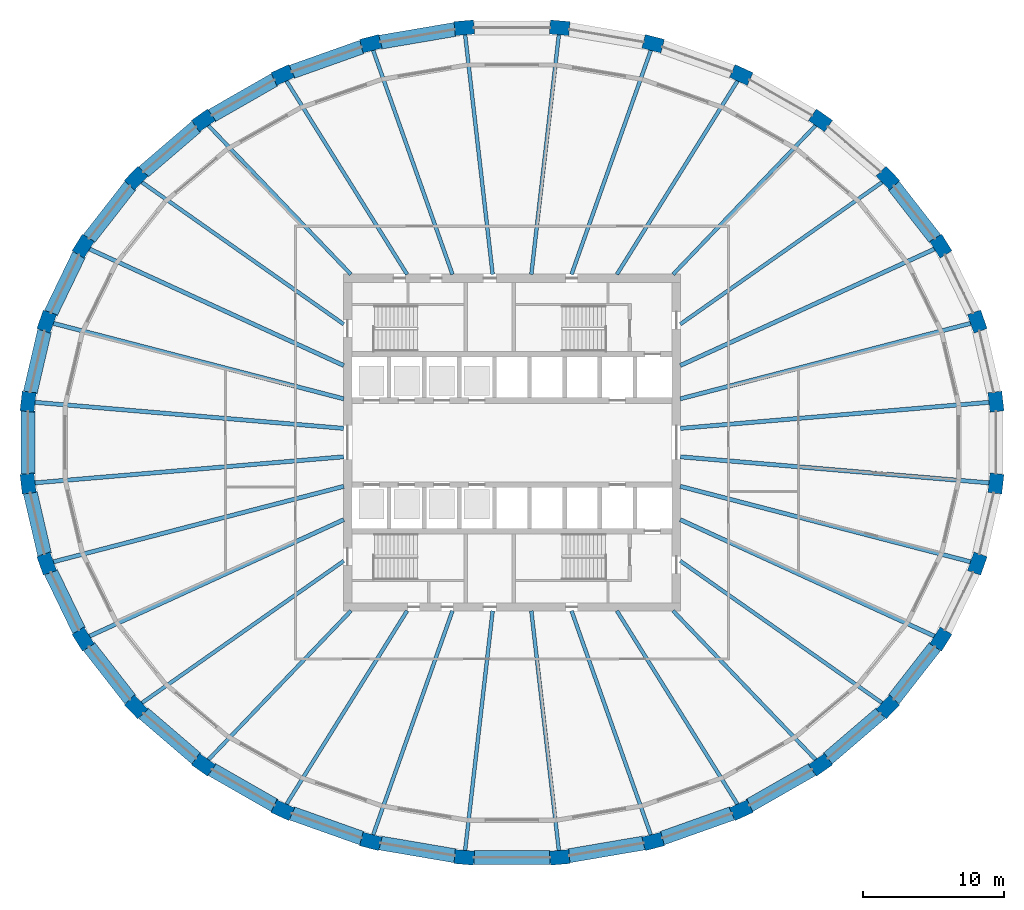
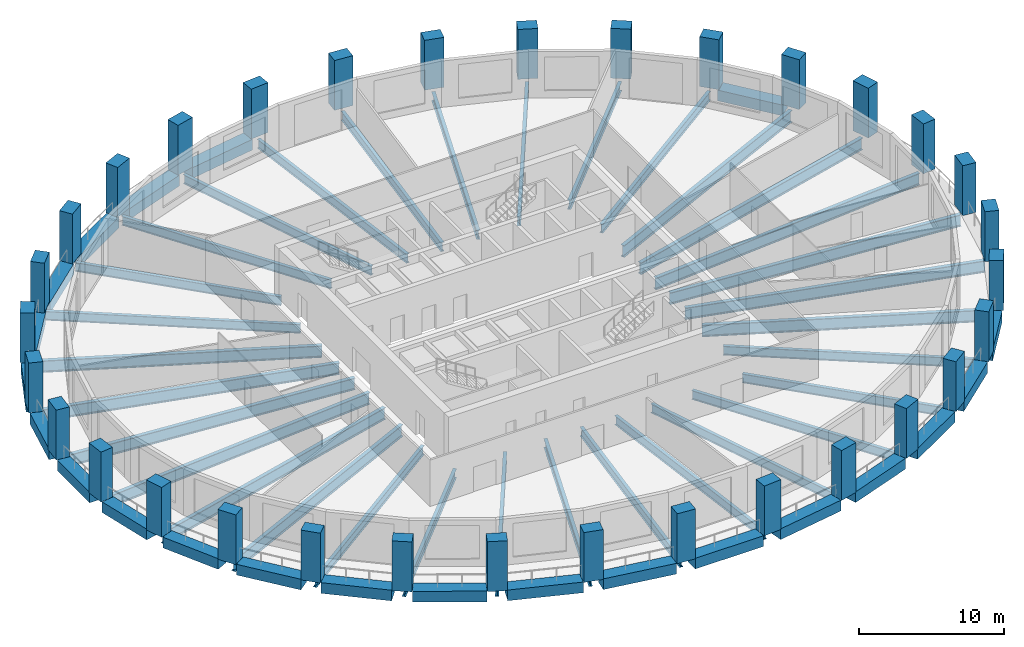
# One storey, part 1 of 10: 54 beams, 32 columns.
"""IFC4 building model written with IfcOpenShell, lengths in metres."""

from ifc_helpers import new_model, si_unit, direction, frame, origin, origin_2d, place, context, subcontext, project, spatial, rectangle, i_section, extrude, material, material_profile, profile_set, type_object, element, save


model = new_model("IFC4")

# Units and contexts
model_context = context("Model", 3, precision=1e-05, world=origin(), true_north=direction((0.0, 1.0)))
body_context = subcontext(model_context, "Body", "Model", "MODEL_VIEW")
ifc_project = project(units=[si_unit("LENGTHUNIT", "METRE"), si_unit("AREAUNIT", "SQUARE_METRE"), si_unit("VOLUMEUNIT", "CUBIC_METRE"), si_unit("PLANEANGLEUNIT", "RADIAN"), si_unit("MASSUNIT", "GRAM", prefix="KILO")], contexts=[model_context])

# Site, building, storey
site_placement = place(None, origin())
site = spatial("IfcSite", under=ifc_project, at=site_placement, CompositionType="ELEMENT")
building_placement = place(site_placement, origin())
building = spatial("IfcBuilding", under=site, at=building_placement, Name="Halqa Exchange Tower", CompositionType="ELEMENT")
storey_placement = place(building_placement, frame((0.0, 0.0, 129.699951171875)))
storey = spatial("IfcBuildingStorey", under=building, at=storey_placement, Name="L29", CompositionType="ELEMENT", Elevation=129.699951171875)

# Columns
ifc_material_1 = material(Name="Concrete C70/85", Category="concrete")
ifc_material_profile_1 = material_profile(ifc_material_1, rectangle(XDim=1.39990234375, YDim=1.0, at=origin_2d()), Name="1400 x 1000")
ifc_profile_set_1 = profile_set([ifc_material_profile_1], Name="Concrete C70/85")
column_type = type_object("IfcColumnType", Name="RC ring column 1400 x 1000 C70/85", PredefinedType="COLUMN", material=ifc_profile_set_1)
for number, where, z_axis, x_axis, name in (
    (1, (34.438720703125, 2.907470703125, 0.0), (0.0, 0.0, 1.0), (-0.114158655897, 0.993462531394, 0.0), "Ring column 1"),
    (2, (33.115234375, 8.6103515625, 0.0), (0.0, 0.0, 1.0), (-0.33363575088, 0.942702066262, 0.0), "Ring column 2"),
    (3, (30.51904296875, 13.982421875, 0.0), (0.0, 0.0, 1.0), (-0.529137534311, 0.848536074533, 0.0), "Ring column 3"),
    (4, (26.750244140625, 18.817138671875, 0.0), (0.0, 0.0, 1.0), (-0.691571048649, 0.722308441505, 0.0), "Ring column 4"),
    (5, (21.953369140625, 22.9287109375, 0.0), (0.0, 0.0, 1.0), (-0.817909792189, 0.575346479819, 0.0), "Ring column 5"),
    (6, (16.312744140625, 26.1591796875, 0.0), (0.0, 0.0, 1.0), (-0.909126368869, 0.416520402174, 0.0), "Ring column 6"),
    (7, (10.04541015625, 28.384521484375, 0.0), (0.0, 0.0, 1.0), (-0.967819503571, 0.251645402317, 0.0), "Ring column 7"),
    (8, (3.391845703125, 29.518798828125, 0.0), (0.0, 0.0, 1.0), (-0.996455372165, 0.084123072248, 0.0), "Ring column 8"),
    (9, (-3.391845703125, 29.518798828125, 0.0), (0.0, 0.0, 1.0), (-0.996455372165, -0.084123072248, 0.0), "Ring column 9"),
    (10, (-10.04541015625, 28.384521484375, 0.0), (0.0, 0.0, 1.0), (-0.967819503571, -0.251645402317, 0.0), "Ring column 10"),
    (11, (-16.312744140625, 26.1591796875, 0.0), (0.0, 0.0, 1.0), (-0.909126368869, -0.416520402174, 0.0), "Ring column 11"),
    (12, (-21.953369140625, 22.9287109375, 0.0), (0.0, 0.0, 1.0), (-0.817909792189, -0.575346479819, 0.0), "Ring column 12"),
    (13, (-26.750244140625, 18.817138671875, 0.0), (0.0, 0.0, 1.0), (-0.691571048649, -0.722308441505, 0.0), "Ring column 13"),
    (14, (-30.51904296875, 13.982421875, 0.0), (0.0, 0.0, 1.0), (-0.529137534311, -0.848536074533, 0.0), "Ring column 14"),
    (15, (-33.115234375, 8.6103515625, 0.0), (0.0, 0.0, 1.0), (-0.33363575088, -0.942702066262, 0.0), "Ring column 15"),
    (16, (-34.438720703125, 2.907470703125, 0.0), (0.0, 0.0, 1.0), (-0.114158655897, -0.993462531394, 0.0), "Ring column 16"),
    (17, (-34.438720703125, -2.907470703125, 0.0), (0.0, 0.0, 1.0), (0.114158655897, -0.993462531394, 0.0), "Ring column 17"),
    (18, (-33.115234375, -8.6103515625, 0.0), (0.0, 0.0, 1.0), (0.33363575088, -0.942702066262, 0.0), "Ring column 18"),
    (19, (-30.51904296875, -13.982421875, 0.0), (0.0, 0.0, 1.0), (0.529137534311, -0.848536074533, 0.0), "Ring column 19"),
    (20, (-26.750244140625, -18.817138671875, 0.0), (0.0, 0.0, 1.0), (0.691571048649, -0.722308441505, 0.0), "Ring column 20"),
    (21, (-21.953369140625, -22.9287109375, 0.0), (0.0, 0.0, 1.0), (0.817909792189, -0.575346479819, 0.0), "Ring column 21"),
    (22, (-16.312744140625, -26.1591796875, 0.0), (0.0, 0.0, 1.0), (0.909126368869, -0.416520402174, 0.0), "Ring column 22"),
    (23, (-10.04541015625, -28.384521484375, 0.0), (0.0, 0.0, 1.0), (0.967819503571, -0.251645402317, 0.0), "Ring column 23"),
    (24, (-3.391845703125, -29.518798828125, 0.0), (0.0, 0.0, 1.0), (0.996455372165, -0.084123072248, 0.0), "Ring column 24"),
    (25, (3.391845703125, -29.518798828125, 0.0), (0.0, 0.0, 1.0), (0.996455372165, 0.084123072248, 0.0), "Ring column 25"),
    (26, (10.04541015625, -28.384521484375, 0.0), (0.0, 0.0, 1.0), (0.967819503571, 0.251645402317, 0.0), "Ring column 26"),
    (27, (16.312744140625, -26.1591796875, 0.0), (0.0, 0.0, 1.0), (0.909126368869, 0.416520402174, 0.0), "Ring column 27"),
    (28, (21.953369140625, -22.9287109375, 0.0), (0.0, 0.0, 1.0), (0.817909792189, 0.575346479819, 0.0), "Ring column 28"),
    (29, (26.750244140625, -18.817138671875, 0.0), (0.0, 0.0, 1.0), (0.691571048649, 0.722308441505, 0.0), "Ring column 29"),
    (30, (30.51904296875, -13.982421875, 0.0), (0.0, 0.0, 1.0), (0.529137534311, 0.848536074533, 0.0), "Ring column 30"),
    (31, (33.115234375, -8.6103515625, 0.0), (0.0, 0.0, 1.0), (0.33363575088, 0.942702066262, 0.0), "Ring column 31"),
    (32, (34.438720703125, -2.907470703125, 0.0), (0.0, 0.0, 1.0), (0.114158655897, 0.993462531394, 0.0), "Ring column 32"),
):
    element("IfcColumn", number, at=place(storey_placement, frame(where, z_axis=z_axis, x_axis=x_axis)), inside=storey, type_object=column_type, Name=name, PredefinedType="COLUMN", context=body_context, shape_type="SweptSolid", body=[
        extrude(rectangle(XDim=1.39990234375, YDim=1.0, at=origin_2d()), origin(), (0.0, 0.0, 1.0), 4.199951171875),
    ])

# Beams
ifc_material_2 = material(Name="Steel S355", Category="steel")
ifc_material_profile_2 = material_profile(ifc_material_2, i_section(OverallWidth=0.300048828125, OverallDepth=0.989990234375, WebThickness=0.0166015625, FlangeThickness=0.031005859375, FilletRadius=0.030029296875, at=origin_2d()), Name="HEA 1000")
ifc_profile_set_2 = profile_set([ifc_material_profile_2], Name="Steel S355")
beam_type_1 = type_object("IfcBeamType", Name="Floor beam HEA 1000", PredefinedType="BEAM", material=ifc_profile_set_2)
beam_1_placement = place(storey_placement, frame((11.972412109375, 1.0107421875, -0.794921875), z_axis=(0.996454963728, 0.084127910124, 0.0), x_axis=(-0.084127910124, 0.996454963728, 0.0)))
element("IfcBeam", 33, at=beam_1_placement, inside=storey, type_object=beam_type_1, Name="Radial beam 1", PredefinedType="BEAM", context=body_context, shape_type="SweptSolid", body=[
    extrude(i_section(OverallWidth=0.300048828125, OverallDepth=0.989990234375, WebThickness=0.0166015625, FlangeThickness=0.031005859375, FilletRadius=0.030029296875, at=origin_2d()), origin(), (0.0, 0.0, 1.0), 22.17431640625),
])
beam_2_placement = place(storey_placement, frame((11.97119140625, 3.112548828125, -0.794921875), z_axis=(0.967819682417, 0.251644714483, 0.0), x_axis=(-0.251644714483, 0.967819682417, 0.0)))
element("IfcBeam", 34, at=beam_2_placement, inside=storey, type_object=beam_type_1, Name="Radial beam 2", PredefinedType="BEAM", context=body_context, shape_type="SweptSolid", body=[
    extrude(i_section(OverallWidth=0.300048828125, OverallDepth=0.989990234375, WebThickness=0.0166015625, FlangeThickness=0.031005859375, FilletRadius=0.030029296875, at=origin_2d()), origin(), (0.0, 0.0, 1.0), 21.472900390625),
])
for number, where, z_axis, x_axis, name in (
    (35, (11.972412109375, 5.485107421875, -0.794921875), (0.909127347391, 0.416518266377, 0.0), (-0.416518266377, 0.909127347391, 0.0), "Radial beam 3"),
    (36, (-11.972412109375, 5.485107421875, -0.794921875), (-0.909127347391, 0.416518266377, 0.0), (-0.416518266377, -0.909127347391, 0.0), "Radial beam 14"),
):
    element("IfcBeam", number, at=place(storey_placement, frame(where, z_axis=z_axis, x_axis=x_axis)), inside=storey, type_object=beam_type_1, Name=name, PredefinedType="BEAM", context=body_context, shape_type="SweptSolid", body=[
        extrude(i_section(OverallWidth=0.300048828125, OverallDepth=0.989990234375, WebThickness=0.0166015625, FlangeThickness=0.031005859375, FilletRadius=0.030029296875, at=origin_2d()), origin(), (0.0, 0.0, 1.0), 20.0244140625),
    ])
beam_3_placement = place(storey_placement, frame((-11.97119140625, 3.112548828125, -0.794921875), z_axis=(-0.967819682417, 0.251644714483, 0.0), x_axis=(-0.251644714483, -0.967819682417, 0.0)))
element("IfcBeam", 37, at=beam_3_placement, inside=storey, type_object=beam_type_1, Name="Radial beam 15", PredefinedType="BEAM", context=body_context, shape_type="SweptSolid", body=[
    extrude(i_section(OverallWidth=0.300048828125, OverallDepth=0.989990234375, WebThickness=0.0166015625, FlangeThickness=0.031005859375, FilletRadius=0.030029296875, at=origin_2d()), origin(), (0.0, 0.0, 1.0), 21.472900390625),
])
for number, where, z_axis, x_axis, name in (
    (38, (-11.972412109375, 1.0107421875, -0.794921875), (-0.996454963728, 0.084127910124, 0.0), (-0.084127910124, -0.996454963728, 0.0), "Radial beam 16"),
    (39, (-11.972412109375, -1.0107421875, -0.794921875), (-0.996454963728, -0.084127910124, 0.0), (0.084127910124, -0.996454963728, 0.0), "Radial beam 17"),
):
    element("IfcBeam", number, at=place(storey_placement, frame(where, z_axis=z_axis, x_axis=x_axis)), inside=storey, type_object=beam_type_1, Name=name, PredefinedType="BEAM", context=body_context, shape_type="SweptSolid", body=[
        extrude(i_section(OverallWidth=0.300048828125, OverallDepth=0.989990234375, WebThickness=0.0166015625, FlangeThickness=0.031005859375, FilletRadius=0.030029296875, at=origin_2d()), origin(), (0.0, 0.0, 1.0), 22.17431640625),
    ])
beam_4_placement = place(storey_placement, frame((-11.97119140625, -3.112548828125, -0.794921875), z_axis=(-0.967819682417, -0.251644714483, 0.0), x_axis=(0.251644714483, -0.967819682417, 0.0)))
element("IfcBeam", 40, at=beam_4_placement, inside=storey, type_object=beam_type_1, Name="Radial beam 18", PredefinedType="BEAM", context=body_context, shape_type="SweptSolid", body=[
    extrude(i_section(OverallWidth=0.300048828125, OverallDepth=0.989990234375, WebThickness=0.0166015625, FlangeThickness=0.031005859375, FilletRadius=0.030029296875, at=origin_2d()), origin(), (0.0, 0.0, 1.0), 21.472900390625),
])
for number, where, z_axis, x_axis, name in (
    (41, (-11.972412109375, -5.485107421875, -0.794921875), (-0.909127347391, -0.416518266377, 0.0), (0.416518266377, -0.909127347391, 0.0), "Radial beam 19"),
    (42, (11.972412109375, -5.485107421875, -0.794921875), (0.909127347391, -0.416518266377, 0.0), (0.416518266377, 0.909127347391, 0.0), "Radial beam 30"),
):
    element("IfcBeam", number, at=place(storey_placement, frame(where, z_axis=z_axis, x_axis=x_axis)), inside=storey, type_object=beam_type_1, Name=name, PredefinedType="BEAM", context=body_context, shape_type="SweptSolid", body=[
        extrude(i_section(OverallWidth=0.300048828125, OverallDepth=0.989990234375, WebThickness=0.0166015625, FlangeThickness=0.031005859375, FilletRadius=0.030029296875, at=origin_2d()), origin(), (0.0, 0.0, 1.0), 20.0244140625),
    ])
beam_5_placement = place(storey_placement, frame((11.97119140625, -3.112548828125, -0.794921875), z_axis=(0.967819682417, -0.251644714483, 0.0), x_axis=(0.251644714483, 0.967819682417, 0.0)))
element("IfcBeam", 43, at=beam_5_placement, inside=storey, type_object=beam_type_1, Name="Radial beam 31", PredefinedType="BEAM", context=body_context, shape_type="SweptSolid", body=[
    extrude(i_section(OverallWidth=0.300048828125, OverallDepth=0.989990234375, WebThickness=0.0166015625, FlangeThickness=0.031005859375, FilletRadius=0.030029296875, at=origin_2d()), origin(), (0.0, 0.0, 1.0), 21.472900390625),
])
beam_6_placement = place(storey_placement, frame((11.972412109375, -1.0107421875, -0.794921875), z_axis=(0.996454963728, -0.084127910124, 0.0), x_axis=(0.084127910124, 0.996454963728, 0.0)))
element("IfcBeam", 44, at=beam_6_placement, inside=storey, type_object=beam_type_1, Name="Radial beam 32", PredefinedType="BEAM", context=body_context, shape_type="SweptSolid", body=[
    extrude(i_section(OverallWidth=0.300048828125, OverallDepth=0.989990234375, WebThickness=0.0166015625, FlangeThickness=0.031005859375, FilletRadius=0.030029296875, at=origin_2d()), origin(), (0.0, 0.0, 1.0), 22.17431640625),
])
ifc_material_profile_3 = material_profile(ifc_material_2, i_section(OverallWidth=0.264892578125, OverallDepth=0.7529296875, WebThickness=0.01318359375, FlangeThickness=0.01708984375, FilletRadius=0.01708984375, at=origin_2d()), Name="IPE 750x147")
ifc_profile_set_3 = profile_set([ifc_material_profile_3], Name="Steel S355")
beam_type_2 = type_object("IfcBeamType", Name="Floor beam IPE 750x147", PredefinedType="BEAM", material=ifc_profile_set_3)
beam_7_placement = place(storey_placement, frame((11.97216796875, 8.421630859375, -0.676513671875), z_axis=(0.817909837256, 0.575346415753, 0.0), x_axis=(-0.575346415753, 0.817909837256, 0.0)))
element("IfcBeam", 45, at=beam_7_placement, inside=storey, type_object=beam_type_2, Name="Radial beam 4", PredefinedType="BEAM", context=body_context, shape_type="SweptSolid", body=[
    extrude(i_section(OverallWidth=0.264892578125, OverallDepth=0.7529296875, WebThickness=0.01318359375, FlangeThickness=0.01708984375, FilletRadius=0.01708984375, at=origin_2d()), origin(), (0.0, 0.0, 1.0), 17.6923828125),
])
beam_8_placement = place(storey_placement, frame((11.462890625, 11.97216796875, -0.676513671875), z_axis=(0.691574796758, 0.722304852876, 0.0), x_axis=(-0.722304852876, 0.691574796758, 0.0)))
element("IfcBeam", 46, at=beam_8_placement, inside=storey, type_object=beam_type_2, Name="Radial beam 5", PredefinedType="BEAM", context=body_context, shape_type="SweptSolid", body=[
    extrude(i_section(OverallWidth=0.264892578125, OverallDepth=0.7529296875, WebThickness=0.01318359375, FlangeThickness=0.01708984375, FilletRadius=0.01708984375, at=origin_2d()), origin(), (0.0, 0.0, 1.0), 14.79296875),
])
beam_9_placement = place(storey_placement, frame((7.4658203125, 11.972412109375, -0.676513671875), z_axis=(0.529140645794, 0.848534134239, 0.0), x_axis=(-0.848534134239, 0.529140645794, 0.0)))
element("IfcBeam", 47, at=beam_9_placement, inside=storey, type_object=beam_type_2, Name="Radial beam 6", PredefinedType="BEAM", context=body_context, shape_type="SweptSolid", body=[
    extrude(i_section(OverallWidth=0.264892578125, OverallDepth=0.7529296875, WebThickness=0.01318359375, FlangeThickness=0.01708984375, FilletRadius=0.01708984375, at=origin_2d()), origin(), (0.0, 0.0, 1.0), 16.343505859375),
])
beam_10_placement = place(storey_placement, frame((4.23681640625, 11.9716796875, -0.676513671875), z_axis=(0.333628809797, 0.942704522782, 0.0), x_axis=(-0.942704522782, 0.333628809797, 0.0)))
element("IfcBeam", 48, at=beam_10_placement, inside=storey, type_object=beam_type_2, Name="Radial beam 7", PredefinedType="BEAM", context=body_context, shape_type="SweptSolid", body=[
    extrude(i_section(OverallWidth=0.264892578125, OverallDepth=0.7529296875, WebThickness=0.01318359375, FlangeThickness=0.01708984375, FilletRadius=0.01708984375, at=origin_2d()), origin(), (0.0, 0.0, 1.0), 17.036376953125),
])
for number, where, z_axis, x_axis, name in (
    (49, (1.375732421875, 11.972900390625, -0.676513671875), (0.114151906381, 0.993463306957, 0.0), (-0.993463306957, 0.114151906381, 0.0), "Radial beam 8"),
    (50, (-1.375732421875, 11.972900390625, -0.676513671875), (-0.114151906381, 0.993463306957, 0.0), (-0.993463306957, -0.114151906381, 0.0), "Radial beam 9"),
):
    element("IfcBeam", number, at=place(storey_placement, frame(where, z_axis=z_axis, x_axis=x_axis)), inside=storey, type_object=beam_type_2, Name=name, PredefinedType="BEAM", context=body_context, shape_type="SweptSolid", body=[
        extrude(i_section(OverallWidth=0.264892578125, OverallDepth=0.7529296875, WebThickness=0.01318359375, FlangeThickness=0.01708984375, FilletRadius=0.01708984375, at=origin_2d()), origin(), (0.0, 0.0, 1.0), 17.28955078125),
    ])
beam_11_placement = place(storey_placement, frame((-4.23681640625, 11.9716796875, -0.676513671875), z_axis=(-0.333628809797, 0.942704522782, 0.0), x_axis=(-0.942704522782, -0.333628809797, 0.0)))
element("IfcBeam", 51, at=beam_11_placement, inside=storey, type_object=beam_type_2, Name="Radial beam 10", PredefinedType="BEAM", context=body_context, shape_type="SweptSolid", body=[
    extrude(i_section(OverallWidth=0.264892578125, OverallDepth=0.7529296875, WebThickness=0.01318359375, FlangeThickness=0.01708984375, FilletRadius=0.01708984375, at=origin_2d()), origin(), (0.0, 0.0, 1.0), 17.036376953125),
])
beam_12_placement = place(storey_placement, frame((-7.4658203125, 11.972412109375, -0.676513671875), z_axis=(-0.529140645794, 0.848534134239, 0.0), x_axis=(-0.848534134239, -0.529140645794, 0.0)))
element("IfcBeam", 52, at=beam_12_placement, inside=storey, type_object=beam_type_2, Name="Radial beam 11", PredefinedType="BEAM", context=body_context, shape_type="SweptSolid", body=[
    extrude(i_section(OverallWidth=0.264892578125, OverallDepth=0.7529296875, WebThickness=0.01318359375, FlangeThickness=0.01708984375, FilletRadius=0.01708984375, at=origin_2d()), origin(), (0.0, 0.0, 1.0), 16.343505859375),
])
beam_13_placement = place(storey_placement, frame((-11.462890625, 11.97216796875, -0.676513671875), z_axis=(-0.691574796758, 0.722304852876, 0.0), x_axis=(-0.722304852876, -0.691574796758, 0.0)))
element("IfcBeam", 53, at=beam_13_placement, inside=storey, type_object=beam_type_2, Name="Radial beam 12", PredefinedType="BEAM", context=body_context, shape_type="SweptSolid", body=[
    extrude(i_section(OverallWidth=0.264892578125, OverallDepth=0.7529296875, WebThickness=0.01318359375, FlangeThickness=0.01708984375, FilletRadius=0.01708984375, at=origin_2d()), origin(), (0.0, 0.0, 1.0), 14.79296875),
])
for number, where, z_axis, x_axis, name in (
    (54, (-11.97216796875, 8.421630859375, -0.676513671875), (-0.817909837256, 0.575346415753, 0.0), (-0.575346415753, -0.817909837256, 0.0), "Radial beam 13"),
    (55, (-11.97216796875, -8.421630859375, -0.676513671875), (-0.817909837256, -0.575346415753, 0.0), (0.575346415753, -0.817909837256, 0.0), "Radial beam 20"),
):
    element("IfcBeam", number, at=place(storey_placement, frame(where, z_axis=z_axis, x_axis=x_axis)), inside=storey, type_object=beam_type_2, Name=name, PredefinedType="BEAM", context=body_context, shape_type="SweptSolid", body=[
        extrude(i_section(OverallWidth=0.264892578125, OverallDepth=0.7529296875, WebThickness=0.01318359375, FlangeThickness=0.01708984375, FilletRadius=0.01708984375, at=origin_2d()), origin(), (0.0, 0.0, 1.0), 17.6923828125),
    ])
beam_14_placement = place(storey_placement, frame((-11.462890625, -11.97216796875, -0.676513671875), z_axis=(-0.691574796758, -0.722304852876, 0.0), x_axis=(0.722304852876, -0.691574796758, 0.0)))
element("IfcBeam", 56, at=beam_14_placement, inside=storey, type_object=beam_type_2, Name="Radial beam 21", PredefinedType="BEAM", context=body_context, shape_type="SweptSolid", body=[
    extrude(i_section(OverallWidth=0.264892578125, OverallDepth=0.7529296875, WebThickness=0.01318359375, FlangeThickness=0.01708984375, FilletRadius=0.01708984375, at=origin_2d()), origin(), (0.0, 0.0, 1.0), 14.79296875),
])
beam_15_placement = place(storey_placement, frame((-7.4658203125, -11.972412109375, -0.676513671875), z_axis=(-0.529140645794, -0.848534134239, 0.0), x_axis=(0.848534134239, -0.529140645794, 0.0)))
element("IfcBeam", 57, at=beam_15_placement, inside=storey, type_object=beam_type_2, Name="Radial beam 22", PredefinedType="BEAM", context=body_context, shape_type="SweptSolid", body=[
    extrude(i_section(OverallWidth=0.264892578125, OverallDepth=0.7529296875, WebThickness=0.01318359375, FlangeThickness=0.01708984375, FilletRadius=0.01708984375, at=origin_2d()), origin(), (0.0, 0.0, 1.0), 16.343505859375),
])
beam_16_placement = place(storey_placement, frame((-4.23681640625, -11.9716796875, -0.676513671875), z_axis=(-0.333628809797, -0.942704522782, 0.0), x_axis=(0.942704522782, -0.333628809797, 0.0)))
element("IfcBeam", 58, at=beam_16_placement, inside=storey, type_object=beam_type_2, Name="Radial beam 23", PredefinedType="BEAM", context=body_context, shape_type="SweptSolid", body=[
    extrude(i_section(OverallWidth=0.264892578125, OverallDepth=0.7529296875, WebThickness=0.01318359375, FlangeThickness=0.01708984375, FilletRadius=0.01708984375, at=origin_2d()), origin(), (0.0, 0.0, 1.0), 17.036376953125),
])
for number, where, z_axis, x_axis, name in (
    (59, (-1.375732421875, -11.972900390625, -0.676513671875), (-0.114151906381, -0.993463306957, 0.0), (0.993463306957, -0.114151906381, 0.0), "Radial beam 24"),
    (60, (1.375732421875, -11.972900390625, -0.676513671875), (0.114151906381, -0.993463306957, 0.0), (0.993463306957, 0.114151906381, 0.0), "Radial beam 25"),
):
    element("IfcBeam", number, at=place(storey_placement, frame(where, z_axis=z_axis, x_axis=x_axis)), inside=storey, type_object=beam_type_2, Name=name, PredefinedType="BEAM", context=body_context, shape_type="SweptSolid", body=[
        extrude(i_section(OverallWidth=0.264892578125, OverallDepth=0.7529296875, WebThickness=0.01318359375, FlangeThickness=0.01708984375, FilletRadius=0.01708984375, at=origin_2d()), origin(), (0.0, 0.0, 1.0), 17.28955078125),
    ])
beam_17_placement = place(storey_placement, frame((4.23681640625, -11.9716796875, -0.676513671875), z_axis=(0.333628809797, -0.942704522782, 0.0), x_axis=(0.942704522782, 0.333628809797, 0.0)))
element("IfcBeam", 61, at=beam_17_placement, inside=storey, type_object=beam_type_2, Name="Radial beam 26", PredefinedType="BEAM", context=body_context, shape_type="SweptSolid", body=[
    extrude(i_section(OverallWidth=0.264892578125, OverallDepth=0.7529296875, WebThickness=0.01318359375, FlangeThickness=0.01708984375, FilletRadius=0.01708984375, at=origin_2d()), origin(), (0.0, 0.0, 1.0), 17.036376953125),
])
beam_18_placement = place(storey_placement, frame((7.4658203125, -11.972412109375, -0.676513671875), z_axis=(0.529140645794, -0.848534134239, 0.0), x_axis=(0.848534134239, 0.529140645794, 0.0)))
element("IfcBeam", 62, at=beam_18_placement, inside=storey, type_object=beam_type_2, Name="Radial beam 27", PredefinedType="BEAM", context=body_context, shape_type="SweptSolid", body=[
    extrude(i_section(OverallWidth=0.264892578125, OverallDepth=0.7529296875, WebThickness=0.01318359375, FlangeThickness=0.01708984375, FilletRadius=0.01708984375, at=origin_2d()), origin(), (0.0, 0.0, 1.0), 16.343505859375),
])
beam_19_placement = place(storey_placement, frame((11.462890625, -11.97216796875, -0.676513671875), z_axis=(0.691574796758, -0.722304852876, 0.0), x_axis=(0.722304852876, 0.691574796758, 0.0)))
element("IfcBeam", 63, at=beam_19_placement, inside=storey, type_object=beam_type_2, Name="Radial beam 28", PredefinedType="BEAM", context=body_context, shape_type="SweptSolid", body=[
    extrude(i_section(OverallWidth=0.264892578125, OverallDepth=0.7529296875, WebThickness=0.01318359375, FlangeThickness=0.01708984375, FilletRadius=0.01708984375, at=origin_2d()), origin(), (0.0, 0.0, 1.0), 14.79296875),
])
beam_20_placement = place(storey_placement, frame((11.97216796875, -8.421630859375, -0.676513671875), z_axis=(0.817909837256, -0.575346415753, 0.0), x_axis=(0.575346415753, 0.817909837256, 0.0)))
element("IfcBeam", 64, at=beam_20_placement, inside=storey, type_object=beam_type_2, Name="Radial beam 29", PredefinedType="BEAM", context=body_context, shape_type="SweptSolid", body=[
    extrude(i_section(OverallWidth=0.264892578125, OverallDepth=0.7529296875, WebThickness=0.01318359375, FlangeThickness=0.01708984375, FilletRadius=0.01708984375, at=origin_2d()), origin(), (0.0, 0.0, 1.0), 17.6923828125),
])
ifc_material_3 = material(Name="Concrete C60/75", Category="concrete")
ifc_material_profile_4 = material_profile(ifc_material_3, rectangle(XDim=1.0, YDim=0.89990234375, at=origin_2d()), Name="1000 x 900")
ifc_profile_set_4 = profile_set([ifc_material_profile_4], Name="Concrete C60/75")
beam_type_3 = type_object("IfcBeamType", Name="RC spandrel beam 1000 x 900 C60/75", PredefinedType="SPANDREL", material=ifc_profile_set_4)
beam_21_placement = place(storey_placement, frame((30.103515625, 14.515380859375, -0.449951171875), z_axis=(-0.614778344406, 0.78869993486, 0.0), x_axis=(-0.78869993486, -0.614778344406, 0.0)))
element("IfcBeam", 65, at=beam_21_placement, inside=storey, type_object=beam_type_3, Name="Spandrel 3", PredefinedType="SPANDREL", context=body_context, shape_type="SweptSolid", body=[
    extrude(rectangle(XDim=1.0, YDim=0.89990234375, at=origin_2d()), origin(), (0.0, 0.0, 1.0), 4.77978515625),
])
beam_22_placement = place(storey_placement, frame((-4.0576171875, 29.405517578125, -0.449951171875), z_axis=(-0.985773716271, -0.168077899527, 0.0), x_axis=(0.168077899527, -0.985773716271, 0.0)))
element("IfcBeam", 66, at=beam_22_placement, inside=storey, type_object=beam_type_3, Name="Spandrel 9", PredefinedType="SPANDREL", context=body_context, shape_type="SweptSolid", body=[
    extrude(rectangle(XDim=1.0, YDim=0.89990234375, at=origin_2d()), origin(), (0.0, 0.0, 1.0), 5.400634765625),
])
beam_23_placement = place(storey_placement, frame((-10.680908203125, 28.158935546875, -0.449951171875), z_axis=(-0.9423560926, -0.334611707415, 0.0), x_axis=(0.334611707415, -0.9423560926, 0.0)))
element("IfcBeam", 67, at=beam_23_placement, inside=storey, type_object=beam_type_3, Name="Spandrel 10", PredefinedType="SPANDREL", context=body_context, shape_type="SweptSolid", body=[
    extrude(rectangle(XDim=1.0, YDim=0.89990234375, at=origin_2d()), origin(), (0.0, 0.0, 1.0), 5.301513671875),
])
beam_24_placement = place(storey_placement, frame((-16.897705078125, 25.824462890625, -0.449951171875), z_axis=(-0.867738128513, -0.497021669874, 0.0), x_axis=(0.497021669874, -0.867738128513, 0.0)))
element("IfcBeam", 68, at=beam_24_placement, inside=storey, type_object=beam_type_3, Name="Spandrel 11", PredefinedType="SPANDREL", context=body_context, shape_type="SweptSolid", body=[
    extrude(rectangle(XDim=1.0, YDim=0.89990234375, at=origin_2d()), origin(), (0.0, 0.0, 1.0), 5.1513671875),
])
beam_25_placement = place(storey_placement, frame((-22.465087890625, 22.489990234375, -0.449951171875), z_axis=(-0.759270476271, -0.650775186884, 0.0), x_axis=(0.650775186884, -0.759270476271, 0.0)))
element("IfcBeam", 69, at=beam_25_placement, inside=storey, type_object=beam_type_3, Name="Spandrel 12", PredefinedType="SPANDREL", context=body_context, shape_type="SweptSolid", body=[
    extrude(rectangle(XDim=1.0, YDim=0.89990234375, at=origin_2d()), origin(), (0.0, 0.0, 1.0), 4.968505859375),
])
beam_26_placement = place(storey_placement, frame((-27.1650390625, 18.28515625, -0.449951171875), z_axis=(-0.614778344406, -0.78869993486, 0.0), x_axis=(0.78869993486, -0.614778344406, 0.0)))
element("IfcBeam", 70, at=beam_26_placement, inside=storey, type_object=beam_type_3, Name="Spandrel 13", PredefinedType="SPANDREL", context=body_context, shape_type="SweptSolid", body=[
    extrude(rectangle(XDim=1.0, YDim=0.89990234375, at=origin_2d()), origin(), (0.0, 0.0, 1.0), 4.77978515625),
])
beam_27_placement = place(storey_placement, frame((-30.812744140625, 13.37451171875, -0.449951171875), z_axis=(-0.435133641471, -0.900365877885, 0.0), x_axis=(0.900365877885, -0.435133641471, 0.0)))
element("IfcBeam", 71, at=beam_27_placement, inside=storey, type_object=beam_type_3, Name="Spandrel 14", PredefinedType="SPANDREL", context=body_context, shape_type="SweptSolid", body=[
    extrude(rectangle(XDim=1.0, YDim=0.89990234375, at=origin_2d()), origin(), (0.0, 0.0, 1.0), 4.615478515625),
])
beam_28_placement = place(storey_placement, frame((-33.268310546875, 7.95068359375, -0.449951171875), z_axis=(-0.226051594905, -0.974115330154, 0.0), x_axis=(0.974115330154, -0.226051594905, 0.0)))
element("IfcBeam", 72, at=beam_28_placement, inside=storey, type_object=beam_type_3, Name="Spandrel 15", PredefinedType="SPANDREL", context=body_context, shape_type="SweptSolid", body=[
    extrude(rectangle(XDim=1.0, YDim=0.89990234375, at=origin_2d()), origin(), (0.0, 0.0, 1.0), 4.50146484375),
])
beam_29_placement = place(storey_placement, frame((-34.438720703125, 2.2314453125, -0.449951171875), z_axis=(0.0, -1.0, 0.0), x_axis=(1.0, 0.0, 0.0)))
element("IfcBeam", 73, at=beam_29_placement, inside=storey, type_object=beam_type_3, Name="Spandrel 16", PredefinedType="SPANDREL", context=body_context, shape_type="SweptSolid", body=[
    extrude(rectangle(XDim=1.0, YDim=0.89990234375, at=origin_2d()), origin(), (0.0, 0.0, 1.0), 4.462890625),
])
beam_30_placement = place(storey_placement, frame((-34.285888671875, -3.565673828125, -0.449951171875), z_axis=(0.226051594905, -0.974115330154, 0.0), x_axis=(0.974115330154, 0.226051594905, 0.0)))
element("IfcBeam", 74, at=beam_30_placement, inside=storey, type_object=beam_type_3, Name="Spandrel 17", PredefinedType="SPANDREL", context=body_context, shape_type="SweptSolid", body=[
    extrude(rectangle(XDim=1.0, YDim=0.89990234375, at=origin_2d()), origin(), (0.0, 0.0, 1.0), 4.50146484375),
])
beam_31_placement = place(storey_placement, frame((-32.821044921875, -9.218994140625, -0.449951171875), z_axis=(0.435133641471, -0.900365877885, 0.0), x_axis=(0.900365877885, 0.435133641471, 0.0)))
element("IfcBeam", 75, at=beam_31_placement, inside=storey, type_object=beam_type_3, Name="Spandrel 18", PredefinedType="SPANDREL", context=body_context, shape_type="SweptSolid", body=[
    extrude(rectangle(XDim=1.0, YDim=0.89990234375, at=origin_2d()), origin(), (0.0, 0.0, 1.0), 4.615478515625),
])
beam_32_placement = place(storey_placement, frame((-30.103515625, -14.515380859375, -0.449951171875), z_axis=(0.614778344406, -0.78869993486, 0.0), x_axis=(0.78869993486, 0.614778344406, 0.0)))
element("IfcBeam", 76, at=beam_32_placement, inside=storey, type_object=beam_type_3, Name="Spandrel 19", PredefinedType="SPANDREL", context=body_context, shape_type="SweptSolid", body=[
    extrude(rectangle(XDim=1.0, YDim=0.89990234375, at=origin_2d()), origin(), (0.0, 0.0, 1.0), 4.77978515625),
])
beam_33_placement = place(storey_placement, frame((-26.237548828125, -19.256591796875, -0.449951171875), z_axis=(0.759270476271, -0.650775186884, 0.0), x_axis=(0.650775186884, 0.759270476271, 0.0)))
element("IfcBeam", 77, at=beam_33_placement, inside=storey, type_object=beam_type_3, Name="Spandrel 20", PredefinedType="SPANDREL", context=body_context, shape_type="SweptSolid", body=[
    extrude(rectangle(XDim=1.0, YDim=0.89990234375, at=origin_2d()), origin(), (0.0, 0.0, 1.0), 4.968505859375),
])
beam_34_placement = place(storey_placement, frame((-21.36767578125, -23.26416015625, -0.449951171875), z_axis=(0.867738128513, -0.497021669874, 0.0), x_axis=(0.497021669874, 0.867738128513, 0.0)))
element("IfcBeam", 78, at=beam_34_placement, inside=storey, type_object=beam_type_3, Name="Spandrel 21", PredefinedType="SPANDREL", context=body_context, shape_type="SweptSolid", body=[
    extrude(rectangle(XDim=1.0, YDim=0.89990234375, at=origin_2d()), origin(), (0.0, 0.0, 1.0), 5.1513671875),
])
beam_35_placement = place(storey_placement, frame((-15.6767578125, -26.385009765625, -0.449951171875), z_axis=(0.9423560926, -0.334611707415, 0.0), x_axis=(0.334611707415, 0.9423560926, 0.0)))
element("IfcBeam", 79, at=beam_35_placement, inside=storey, type_object=beam_type_3, Name="Spandrel 22", PredefinedType="SPANDREL", context=body_context, shape_type="SweptSolid", body=[
    extrude(rectangle(XDim=1.0, YDim=0.89990234375, at=origin_2d()), origin(), (0.0, 0.0, 1.0), 5.301513671875),
])
beam_36_placement = place(storey_placement, frame((-9.38134765625, -28.497802734375, -0.449951171875), z_axis=(0.985773716271, -0.168077899527, 0.0), x_axis=(0.168077899527, 0.985773716271, 0.0)))
element("IfcBeam", 80, at=beam_36_placement, inside=storey, type_object=beam_type_3, Name="Spandrel 23", PredefinedType="SPANDREL", context=body_context, shape_type="SweptSolid", body=[
    extrude(rectangle(XDim=1.0, YDim=0.89990234375, at=origin_2d()), origin(), (0.0, 0.0, 1.0), 5.400634765625),
])
beam_37_placement = place(storey_placement, frame((-2.716796875, -29.518798828125, -0.449951171875), z_axis=(1.0, 0.0, 0.0), x_axis=(0.0, 1.0, 0.0)))
element("IfcBeam", 81, at=beam_37_placement, inside=storey, type_object=beam_type_3, Name="Spandrel 24", PredefinedType="SPANDREL", context=body_context, shape_type="SweptSolid", body=[
    extrude(rectangle(XDim=1.0, YDim=0.89990234375, at=origin_2d()), origin(), (0.0, 0.0, 1.0), 5.43359375),
])
beam_38_placement = place(storey_placement, frame((4.0576171875, -29.405517578125, -0.449951171875), z_axis=(0.985773716271, 0.168077899527, 0.0), x_axis=(-0.168077899527, 0.985773716271, 0.0)))
element("IfcBeam", 82, at=beam_38_placement, inside=storey, type_object=beam_type_3, Name="Spandrel 25", PredefinedType="SPANDREL", context=body_context, shape_type="SweptSolid", body=[
    extrude(rectangle(XDim=1.0, YDim=0.89990234375, at=origin_2d()), origin(), (0.0, 0.0, 1.0), 5.400634765625),
])
beam_39_placement = place(storey_placement, frame((10.680908203125, -28.158935546875, -0.449951171875), z_axis=(0.9423560926, 0.334611707415, 0.0), x_axis=(-0.334611707415, 0.9423560926, 0.0)))
element("IfcBeam", 83, at=beam_39_placement, inside=storey, type_object=beam_type_3, Name="Spandrel 26", PredefinedType="SPANDREL", context=body_context, shape_type="SweptSolid", body=[
    extrude(rectangle(XDim=1.0, YDim=0.89990234375, at=origin_2d()), origin(), (0.0, 0.0, 1.0), 5.301513671875),
])
beam_40_placement = place(storey_placement, frame((16.897705078125, -25.824462890625, -0.449951171875), z_axis=(0.867738128513, 0.497021669874, 0.0), x_axis=(-0.497021669874, 0.867738128513, 0.0)))
element("IfcBeam", 84, at=beam_40_placement, inside=storey, type_object=beam_type_3, Name="Spandrel 27", PredefinedType="SPANDREL", context=body_context, shape_type="SweptSolid", body=[
    extrude(rectangle(XDim=1.0, YDim=0.89990234375, at=origin_2d()), origin(), (0.0, 0.0, 1.0), 5.1513671875),
])
beam_41_placement = place(storey_placement, frame((22.465087890625, -22.489990234375, -0.449951171875), z_axis=(0.759270476271, 0.650775186884, 0.0), x_axis=(-0.650775186884, 0.759270476271, 0.0)))
element("IfcBeam", 85, at=beam_41_placement, inside=storey, type_object=beam_type_3, Name="Spandrel 28", PredefinedType="SPANDREL", context=body_context, shape_type="SweptSolid", body=[
    extrude(rectangle(XDim=1.0, YDim=0.89990234375, at=origin_2d()), origin(), (0.0, 0.0, 1.0), 4.968505859375),
])
beam_42_placement = place(storey_placement, frame((27.1650390625, -18.28515625, -0.449951171875), z_axis=(0.614778344406, 0.78869993486, 0.0), x_axis=(-0.78869993486, 0.614778344406, 0.0)))
element("IfcBeam", 86, at=beam_42_placement, inside=storey, type_object=beam_type_3, Name="Spandrel 29", PredefinedType="SPANDREL", context=body_context, shape_type="SweptSolid", body=[
    extrude(rectangle(XDim=1.0, YDim=0.89990234375, at=origin_2d()), origin(), (0.0, 0.0, 1.0), 4.77978515625),
])

save(model, "model.ifc")
